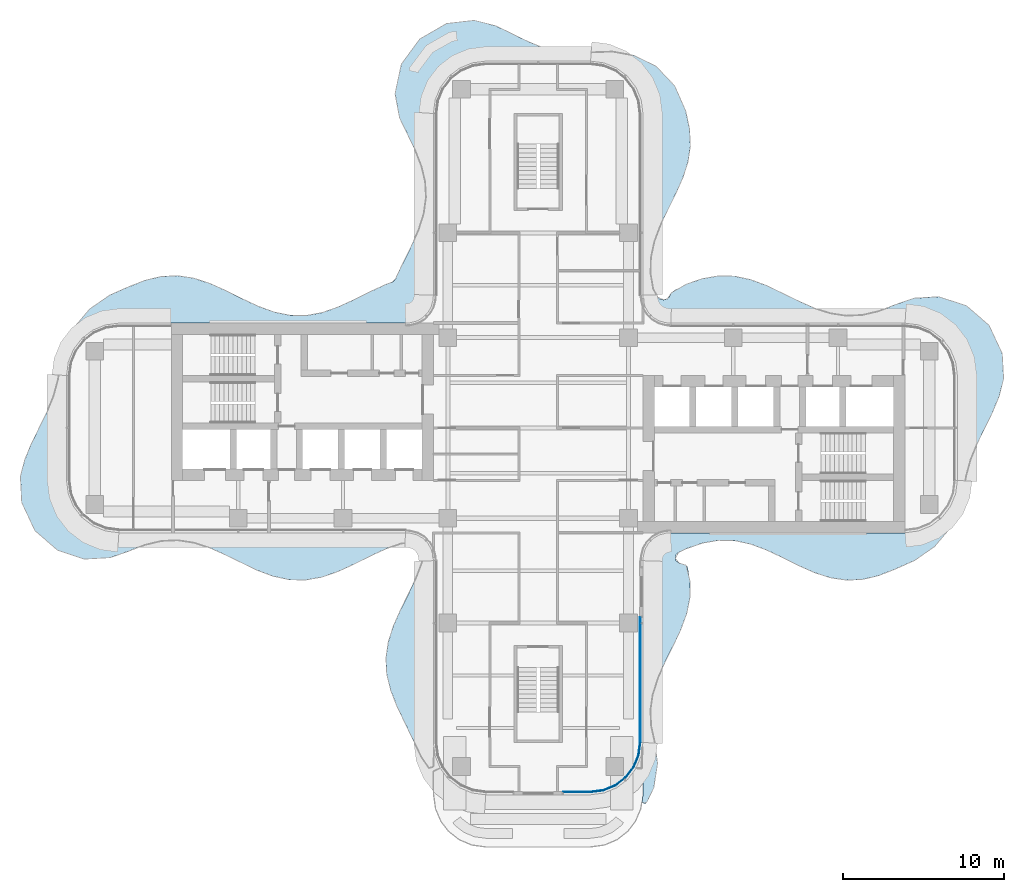
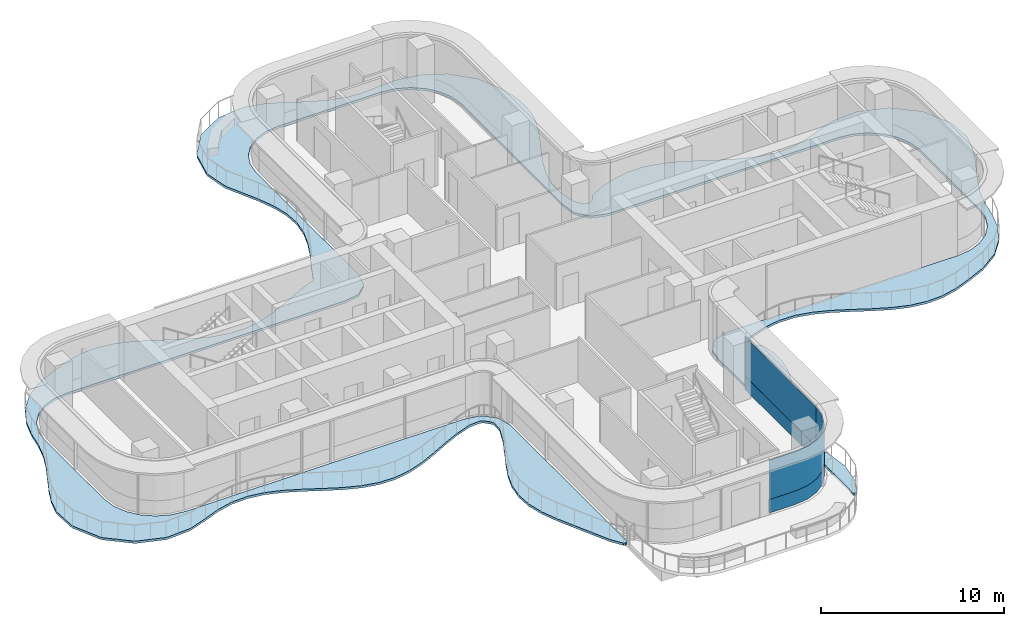
# One storey, part 9 of 17: 4 plates, 1 slab, 2 elements without a shape of their own.
"""IFC4 building model written with IfcOpenShell, lengths in metres."""

from ifc_helpers import new_model, si_unit, direction, frame, origin, place, context, subcontext, project, spatial, polyline, outline, extrude, source, transform, mapped, material, layer, layer_set, type_object, element, aggregate, save


model = new_model("IFC4")

# Units and contexts
model_context = context("Model", 3, precision=1e-05, world=origin(), true_north=direction((0.0, 1.0)))
body_context = subcontext(model_context, "Body", "Model", "MODEL_VIEW")
ifc_project = project(units=[si_unit("LENGTHUNIT", "METRE"), si_unit("AREAUNIT", "SQUARE_METRE"), si_unit("VOLUMEUNIT", "CUBIC_METRE"), si_unit("PLANEANGLEUNIT", "RADIAN"), si_unit("MASSUNIT", "GRAM", prefix="KILO")], contexts=[model_context])

# Site, building, storey
site_placement = place(None, origin())
site = spatial("IfcSite", under=ifc_project, at=site_placement, CompositionType="ELEMENT")
building_placement = place(site_placement, origin())
building = spatial("IfcBuilding", under=site, at=building_placement, Name="Trellis Farm Tower", CompositionType="ELEMENT")
storey_placement = place(building_placement, frame((0.0, 0.0, 244.10009765625)))
storey = spatial("IfcBuildingStorey", under=building, at=storey_placement, Name="L54", CompositionType="ELEMENT", Elevation=244.10009765625)

# Slab
ifc_material_1 = material(Name="Concrete C40/50", Category="concrete")
ifc_layer_1 = layer(ifc_material_1, 0.14990234375)
ifc_layer_set_1 = layer_set([ifc_layer_1], Name="Balcony slab 150")
slab_type = type_object("IfcSlabType", Name="Balcony slab 150", PredefinedType="FLOOR", material=ifc_layer_set_1)
slab_placement = place(storey_placement, frame((0.0, 0.0, -0.150146484375)))
element("IfcSlab", 1, at=slab_placement, inside=storey, type_object=slab_type, Name="Balcony slab", PredefinedType="FLOOR", context=body_context, shape_type="SweptSolid", body=[
    extrude(outline(polyline([(-22.3564453125, -6.961669921875), (-23.340087890625, -7.004150390625), (-23.354248046875, -7.006103515625), (-24.3935546875, -7.253173828125), (-24.40380859375, -7.256103515625), (-25.373291015625, -7.63623046875), (-25.378662109375, -7.63818359375), (-26.5341796875, -8.039794921875), (-26.574462890625, -8.047607421875), (-28.079345703125, -8.13818359375), (-28.10791015625, -8.13720703125), (-28.1435546875, -8.13232421875), (-28.170654296875, -8.126220703125), (-29.750732421875, -7.6083984375), (-29.77783203125, -7.59619140625), (-29.811279296875, -7.577392578125), (-29.83544921875, -7.560302734375), (-31.184814453125, -6.392578125), (-31.20654296875, -6.369384765625), (-31.231201171875, -6.336669921875), (-31.247314453125, -6.309326171875), (-32.016845703125, -4.644775390625), (-32.0263671875, -4.61767578125), (-32.03515625, -4.581787109375), (-32.039306640625, -4.552734375), (-32.1083984375, -3.0107421875), (-32.103759765625, -2.9658203125), (-31.8466796875, -1.99169921875), (-31.84033203125, -1.972900390625), (-31.44189453125, -1.006103515625), (-31.43798828125, -0.997314453125), (-30.468017578125, 0.984130859375), (-30.466064453125, 0.988525390625), (-30.06201171875, 1.967529296875), (-30.058837890625, 1.9765625), (-29.788330078125, 2.9755859375), (-29.786865234375, 2.982177734375), (-29.593505859375, 4.075439453125), (-29.590087890625, 4.09033203125), (-29.275390625, 5.194580078125), (-29.2646484375, 5.2216796875), (-28.7060546875, 6.315673828125), (-28.686767578125, 6.344482421875), (-27.80615234375, 7.381103515625), (-27.77685546875, 7.40771484375), (-26.59521484375, 8.21875), (-26.5712890625, 8.232421875), (-25.379150390625, 8.760986328125), (-25.373046875, 8.763427734375), (-24.39697265625, 9.146484375), (-24.37744140625, 9.152587890625), (-23.409423828125, 9.38671875), (-23.381591796875, 9.390869140625), (-22.38134765625, 9.4404296875), (-22.3515625, 9.43896484375), (-21.385498046875, 9.293701171875), (-21.361572265625, 9.2880859375), (-20.389404296875, 8.973388671875), (-20.37451171875, 8.967529296875), (-19.400390625, 8.533203125), (-19.394775390625, 8.5302734375), (-18.39501953125, 8.0322265625), (-18.3935546875, 8.031494140625), (-17.39013671875, 7.55908203125), (-17.384033203125, 7.556640625), (-16.384765625, 7.190185546875), (-16.3740234375, 7.187255859375), (-15.382080078125, 6.98486328125), (-15.367919921875, 6.9833984375), (-14.385498046875, 6.973388671875), (-14.371337890625, 6.974853515625), (-13.395263671875, 7.154296875), (-13.384033203125, 7.1572265625), (-12.406982421875, 7.49853515625), (-12.400390625, 7.501220703125), (-11.418701171875, 7.952880859375), (-11.41650390625, 7.9541015625), (-10.42578125, 8.44921875), (-10.42138671875, 8.451171875), (-9.442626953125, 8.901611328125), (-9.4306640625, 8.906494140625), (-9.066162109375, 9.03759765625), (-9.052001953125, 9.044189453125), (-8.94775390625, 9.10888671875), (-8.92529296875, 9.13037109375), (-8.85546875, 9.23388671875), (-8.849609375, 9.243896484375), (-8.3681640625, 10.269287109375), (-8.36669921875, 10.272705078125), (-7.873779296875, 11.260986328125), (-7.872314453125, 11.263916015625), (-7.421142578125, 12.27978515625), (-7.418212890625, 12.287353515625), (-7.1015625, 13.28466796875), (-7.0986328125, 13.296875), (-6.958984375, 14.28564453125), (-6.95849609375, 14.30029296875), (-7.013427734375, 15.27978515625), (-7.015380859375, 15.293212890625), (-7.238525390625, 16.222900390625), (-7.24169921875, 16.232421875), (-7.640869140625, 17.2568359375), (-7.643310546875, 17.26220703125), (-8.5908203125, 19.219482421875), (-8.603271484375, 19.25732421875), (-8.875732421875, 20.71728515625), (-8.87841796875, 20.747802734375), (-8.877685546875, 20.786376953125), (-8.8740234375, 20.81591796875), (-8.485107421875, 22.55810546875), (-8.474853515625, 22.588134765625), (-8.457763671875, 22.62548828125), (-8.44140625, 22.652587890625), (-7.343017578125, 24.1162109375), (-7.322021484375, 24.138916015625), (-7.292236328125, 24.1650390625), (-7.26708984375, 24.182861328125), (-5.708984375, 25.065185546875), (-5.68115234375, 25.077392578125), (-5.643798828125, 25.08935546875), (-5.614013671875, 25.095703125), (-3.998779296875, 25.2734375), (-3.9716796875, 25.27392578125), (-3.936767578125, 25.271484375), (-3.91015625, 25.26708984375), (-2.65380859375, 24.9462890625), (-2.625, 24.935791015625), (-0.640869140625, 23.968017578125), (-0.63671875, 23.966064453125), (0.342529296875, 23.56201171875), (0.351806640625, 23.558837890625), (1.38916015625, 23.28271484375), (1.402587890625, 23.280517578125), (2.38525390625, 23.2041015625), (2.398193359375, 23.2041015625), (3.4072265625, 23.2998046875), (3.416015625, 23.30029296875), (4.605224609375, 23.342529296875), (4.637939453125, 23.340087890625), (5.936767578125, 23.1005859375), (5.97509765625, 23.088134765625), (7.259521484375, 22.464599609375), (7.282958984375, 22.450439453125), (7.310546875, 22.43017578125), (7.33056640625, 22.41259765625), (8.446044921875, 21.238037109375), (8.462158203125, 21.2177734375), (8.480712890625, 21.189697265625), (8.493408203125, 21.166748046875), (9.146240234375, 19.671875), (9.155517578125, 19.642578125), (9.388671875, 18.52978515625), (9.3916015625, 18.50634765625), (9.4404296875, 17.506103515625), (9.43896484375, 17.4765625), (9.293701171875, 16.51025390625), (9.2880859375, 16.486572265625), (8.97998046875, 15.531982421875), (8.974365234375, 15.51708984375), (8.533203125, 14.525390625), (8.5302734375, 14.51953125), (8.0322265625, 13.52001953125), (8.031494140625, 13.5185546875), (7.55908203125, 12.514892578125), (7.556640625, 12.509033203125), (7.20458984375, 11.55908203125), (7.201416015625, 11.548828125), (6.992431640625, 10.572998046875), (6.99072265625, 10.55908203125), (6.96826171875, 9.578369140625), (6.96923828125, 9.56396484375), (7.1328125, 8.6171875), (7.13671875, 8.602294921875), (7.181640625, 8.488525390625), (7.1884765625, 8.475341796875), (7.4228515625, 8.1123046875), (7.4365234375, 8.096435546875), (7.5595703125, 7.989501953125), (7.5966796875, 7.972412109375), (7.7578125, 7.94775390625), (7.77880859375, 7.947509765625), (7.87158203125, 7.959716796875), (7.88916015625, 7.96435546875), (8.0205078125, 8.015869140625), (8.049560546875, 8.03662109375), (8.1416015625, 8.143798828125), (8.151611328125, 8.15869140625), (8.262451171875, 8.37890625), (8.28955078125, 8.416748046875), (8.32958984375, 8.45751953125), (8.366943359375, 8.485107421875), (9.17138671875, 8.906494140625), (9.192138671875, 8.915283203125), (10.167724609375, 9.252197265625), (10.190673828125, 9.258056640625), (11.16455078125, 9.4296875), (11.193603515625, 9.431884765625), (12.160400390625, 9.412841796875), (12.188720703125, 9.40966796875), (13.15625, 9.2041015625), (13.17724609375, 9.197998046875), (14.152099609375, 8.8359375), (14.163818359375, 8.8310546875), (15.14453125, 8.3681640625), (15.1474609375, 8.36669921875), (16.1494140625, 7.867431640625), (16.152587890625, 7.865966796875), (17.15478515625, 7.421142578125), (17.162109375, 7.418212890625), (18.103759765625, 7.114501953125), (18.115234375, 7.11181640625), (19.091796875, 6.96240234375), (19.1064453125, 6.961669921875), (20.09033203125, 7.004150390625), (20.10400390625, 7.006103515625), (21.09765625, 7.238525390625), (21.107666015625, 7.24169921875), (22.123291015625, 7.636474609375), (22.12841796875, 7.63818359375), (23.2841796875, 8.039794921875), (23.324462890625, 8.047607421875), (24.829345703125, 8.13818359375), (24.85791015625, 8.13720703125), (24.8935546875, 8.13232421875), (24.920654296875, 8.126220703125), (26.500732421875, 7.6083984375), (26.52783203125, 7.59619140625), (26.561279296875, 7.577392578125), (26.58544921875, 7.560302734375), (27.934814453125, 6.392578125), (27.95654296875, 6.369384765625), (27.981201171875, 6.336669921875), (27.997314453125, 6.309326171875), (28.766845703125, 4.644775390625), (28.7763671875, 4.61767578125), (28.78515625, 4.58154296875), (28.789306640625, 4.552978515625), (28.864013671875, 3.063232421875), (28.859619140625, 3.018798828125), (28.60400390625, 2.014404296875), (28.597412109375, 1.994384765625), (28.1875, 0.995849609375), (28.183349609375, 0.98681640625), (27.218017578125, -0.984130859375), (27.216064453125, -0.988525390625), (26.81201171875, -1.967529296875), (26.808837890625, -1.9765625), (26.538330078125, -2.9755859375), (26.536865234375, -2.982177734375), (26.343505859375, -4.075439453125), (26.340087890625, -4.09033203125), (26.025390625, -5.194580078125), (26.0146484375, -5.2216796875), (25.455810546875, -6.31591796875), (25.43701171875, -6.344482421875), (24.59033203125, -7.35009765625), (24.561279296875, -7.376708984375), (23.373779296875, -8.20263671875), (23.34912109375, -8.216552734375), (22.12939453125, -8.7607421875), (22.122802734375, -8.763427734375), (21.1240234375, -9.15380859375), (21.1044921875, -9.159912109375), (20.158935546875, -9.386962890625), (20.1318359375, -9.390869140625), (19.165283203125, -9.442138671875), (19.135986328125, -9.440673828125), (18.16357421875, -9.300048828125), (18.139404296875, -9.29443359375), (17.1572265625, -8.97998046875), (17.14208984375, -8.974365234375), (16.150390625, -8.533203125), (16.14453125, -8.5302734375), (15.14501953125, -8.0322265625), (15.1435546875, -8.031494140625), (14.139892578125, -7.55908203125), (14.134033203125, -7.556640625), (13.18408203125, -7.20458984375), (13.173828125, -7.201416015625), (12.197998046875, -6.992431640625), (12.18408203125, -6.99072265625), (11.203369140625, -6.96826171875), (11.18896484375, -6.96923828125), (10.198486328125, -7.140380859375), (10.186767578125, -7.1435546875), (9.152587890625, -7.501708984375), (9.143310546875, -7.505615234375), (8.701904296875, -7.730224609375), (8.684326171875, -7.742431640625), (8.563720703125, -7.856689453125), (8.54296875, -7.892578125), (8.50634765625, -8.04345703125), (8.50830078125, -8.085205078125), (8.559814453125, -8.2314453125), (8.584228515625, -8.26513671875), (8.7138671875, -8.365234375), (8.73681640625, -8.377197265625), (9.16748046875, -8.514404296875), (9.269775390625, -8.63134765625), (9.4296875, -9.539794921875), (9.43212890625, -9.568359375), (9.41650390625, -10.502685546875), (9.413330078125, -10.530517578125), (9.211181640625, -11.506103515625), (9.205078125, -11.527587890625), (8.841796875, -12.512939453125), (8.8369140625, -12.525146484375), (8.3681640625, -13.51953125), (8.36669921875, -13.5224609375), (7.873779296875, -14.510986328125), (7.87255859375, -14.513916015625), (7.434814453125, -15.49462890625), (7.431640625, -15.502197265625), (7.101318359375, -16.534912109375), (7.0986328125, -16.546630859375), (6.96240234375, -17.467041015625), (6.961669921875, -17.481201171875), (7.00439453125, -18.468017578125), (7.006103515625, -18.480712890625), (7.2431640625, -19.552001953125), (7.24560546875, -19.5654296875), (7.40234375, -20.79833984375), (7.401611328125, -20.84033203125), (7.1748046875, -22.29541015625), (7.16162109375, -22.337890625), (6.73291015625, -23.22119140625), (6.658203125, -23.293212890625), (6.5546875, -23.29931640625), (6.471923828125, -23.2373046875), (6.44921875, -23.13623046875), (6.49951171875, -22.7548828125), (6.5, -22.7451171875), (6.5, -19.504638671875), (6.50048828125, -19.5), (6.50048828125, -14.017822265625), (6.50146484375, -8.5390625), (6.50244140625, -8.5205078125), (6.61474609375, -7.626708984375), (6.62548828125, -7.5869140625), (6.6455078125, -7.539306640625), (6.66650390625, -7.50390625), (7.1875, -6.853515625), (7.22021484375, -6.8232421875), (7.265380859375, -6.79248046875), (7.306640625, -6.772705078125), (8.177734375, -6.510009765625), (8.220947265625, -6.503662109375), (19.881591796875, -6.50048828125), (22.75, -6.50048828125), (23.59130859375, -6.389892578125), (24.375244140625, -6.065185546875), (25.048583984375, -5.548583984375), (25.565185546875, -4.875244140625), (25.889892578125, -4.09130859375), (26.00048828125, -3.25), (26.00048828125, 3.25), (25.889892578125, 4.09130859375), (25.565185546875, 4.875244140625), (25.048583984375, 5.548583984375), (24.375244140625, 6.065185546875), (23.59130859375, 6.389892578125), (22.75, 6.50048828125), (19.881591796875, 6.50048828125), (8.220947265625, 6.503662109375), (8.177734375, 6.510009765625), (7.306640625, 6.772705078125), (7.265380859375, 6.79248046875), (7.22021484375, 6.8232421875), (7.1875, 6.853515625), (6.66650390625, 7.50390625), (6.6455078125, 7.539306640625), (6.62548828125, 7.5869140625), (6.61474609375, 7.626953125), (6.501220703125, 8.542236328125), (6.50048828125, 8.551025390625), (6.50048828125, 19.5), (6.389892578125, 20.34130859375), (6.065185546875, 21.125244140625), (5.548583984375, 21.798583984375), (4.875244140625, 22.315185546875), (4.09130859375, 22.639892578125), (3.25, 22.75048828125), (-3.25, 22.75048828125), (-4.09130859375, 22.639892578125), (-4.875244140625, 22.315185546875), (-5.548583984375, 21.798583984375), (-6.065185546875, 21.125244140625), (-6.389892578125, 20.34130859375), (-6.50048828125, 19.5), (-6.50048828125, 8.31494140625), (-6.50439453125, 8.28369140625), (-6.723388671875, 7.398193359375), (-6.740234375, 7.357421875), (-6.767578125, 7.311279296875), (-6.794921875, 7.27783203125), (-7.40673828125, 6.7138671875), (-7.4423828125, 6.689453125), (-7.49072265625, 6.665771484375), (-7.53173828125, 6.65234375), (-8.406494140625, 6.50439453125), (-8.431396484375, 6.50244140625), (-21.205810546875, 6.50048828125), (-26.0, 6.50048828125), (-26.84130859375, 6.389892578125), (-27.625244140625, 6.065185546875), (-28.298583984375, 5.548583984375), (-28.815185546875, 4.875244140625), (-29.139892578125, 4.09130859375), (-29.25048828125, 3.25), (-29.25048828125, -3.25), (-29.139892578125, -4.09130859375), (-28.815185546875, -4.875244140625), (-28.298583984375, -5.548583984375), (-27.625244140625, -6.065185546875), (-26.84130859375, -6.389892578125), (-26.0, -6.50048828125), (-8.453125, -6.50048828125), (-8.435791015625, -6.501953125), (-7.531982421875, -6.652587890625), (-7.490478515625, -6.665771484375), (-7.4423828125, -6.689453125), (-7.40673828125, -6.7138671875), (-6.794921875, -7.27783203125), (-6.767578125, -7.311279296875), (-6.740234375, -7.357421875), (-6.723388671875, -7.398193359375), (-6.50439453125, -8.28369140625), (-6.50048828125, -8.31494140625), (-6.50048828125, -19.5), (-6.5, -19.504638671875), (-6.5, -21.0068359375), (-6.55029296875, -21.118896484375), (-6.667724609375, -21.15576171875), (-6.773193359375, -21.09228515625), (-7.23046875, -20.434814453125), (-7.24267578125, -20.4140625), (-8.758544921875, -17.258544921875), (-8.762939453125, -17.24853515625), (-9.146484375, -16.272216796875), (-9.152587890625, -16.25244140625), (-9.38671875, -15.2841796875), (-9.390869140625, -15.2568359375), (-9.442138671875, -14.290283203125), (-9.440673828125, -14.260986328125), (-9.300048828125, -13.28857421875), (-9.29443359375, -13.264404296875), (-8.97998046875, -12.2822265625), (-8.974365234375, -12.26708984375), (-8.533203125, -11.275390625), (-8.5302734375, -11.26953125), (-8.035400390625, -10.27685546875), (-8.03466796875, -10.275390625), (-7.570068359375, -9.291259765625), (-7.56787109375, -9.285888671875), (-7.21533203125, -8.35986328125), (-7.2119140625, -8.348388671875), (-7.19189453125, -8.251708984375), (-7.190673828125, -8.23974609375), (-7.16796875, -7.7333984375), (-7.1689453125, -7.7177734375), (-7.189208984375, -7.5966796875), (-7.20068359375, -7.568115234375), (-7.2685546875, -7.466064453125), (-7.278564453125, -7.453857421875), (-7.53173828125, -7.206787109375), (-7.544189453125, -7.197021484375), (-7.647705078125, -7.1318359375), (-7.6767578125, -7.12109375), (-7.798095703125, -7.103759765625), (-7.813720703125, -7.103271484375), (-8.38818359375, -7.142822265625), (-8.398193359375, -7.14404296875), (-8.479736328125, -7.160888671875), (-8.489501953125, -7.16357421875), (-9.441650390625, -7.498291015625), (-9.447998046875, -7.5009765625), (-10.43017578125, -7.952880859375), (-10.432373046875, -7.9541015625), (-11.423095703125, -8.44921875), (-11.427490234375, -8.451171875), (-12.42041015625, -8.906982421875), (-12.43408203125, -8.91259765625), (-13.417724609375, -9.252197265625), (-13.440673828125, -9.258056640625), (-14.41455078125, -9.4296875), (-14.443603515625, -9.431884765625), (-15.410400390625, -9.412841796875), (-15.438720703125, -9.40966796875), (-16.40625, -9.2041015625), (-16.42724609375, -9.197998046875), (-17.402099609375, -8.8359375), (-17.413818359375, -8.8310546875), (-18.39794921875, -8.366455078125), (-18.40087890625, -8.364990234375), (-19.385986328125, -7.873779296875), (-19.388916015625, -7.87255859375), (-20.36962890625, -7.4345703125), (-20.377197265625, -7.431884765625), (-21.353515625, -7.114501953125), (-21.365478515625, -7.11181640625), (-22.341796875, -6.96240234375), (-22.3564453125, -6.961669921875)])), origin(), (0.0, 0.0, 1.0), 0.150146484375),
])

# Curtain wall, plates
ifc_material_2 = material(Name="Aluminium and glass curtain wall", Category="aluminium")
ifc_layer_2 = layer(ifc_material_2, 0.18994140625)
ifc_layer_set_2 = layer_set([ifc_layer_2], Name="RIBBON CURTAIN WALL CW1")
curtain_wall_type = type_object("IfcCurtainWallType", Name="RIBBON CURTAIN WALL CW1", PredefinedType="NOTDEFINED", material=ifc_layer_set_2)
placement_1 = place(storey_placement, origin())
curtain_wall_1 = element("IfcCurtainWall", 2, at=placement_1, inside=storey, type_object=curtain_wall_type, Name="CW1 004", PredefinedType="NOTDEFINED")
ifc_material_3 = material(Name="Clear insulated glass", Category="glass")
ifc_layer_3 = layer(ifc_material_3, 0.0400390625)
ifc_layer_set_3 = layer_set([ifc_layer_3], Name="CW1 GLASS PANEL 40")
plate_type_1 = type_object("IfcPlateType", Name="CW1 GLASS PANEL 40", PredefinedType="CURTAIN_PANEL", material=ifc_layer_set_3)
placement_2 = place(storey_placement, frame((0.0, 0.0, 0.89990234375)))
plate_1 = element("IfcPlate", 3, at=placement_2, type_object=plate_type_1, Name="PL1 004", PredefinedType="CURTAIN_PANEL", context=body_context, shape_type="SweptSolid", body=[
    extrude(outline(polyline([(1.56005859375, -22.60009765625), (3.240234375, -22.60009765625), (4.052001953125, -22.4931640625), (4.79931640625, -22.18359375), (5.441162109375, -21.691162109375), (5.93359375, -21.04931640625), (6.2431640625, -20.302001953125), (6.35009765625, -19.490234375), (6.31005859375, -19.487548828125), (6.2041015625, -20.29150390625), (5.898681640625, -21.029296875), (5.41259765625, -21.66259765625), (4.779296875, -22.148681640625), (4.04150390625, -22.4541015625), (3.237548828125, -22.56005859375), (1.56005859375, -22.56005859375), (1.56005859375, -22.60009765625)])), origin(), (0.0, 0.0, 1.0), 2.6201171875),
])
ifc_material_4 = material(Name="Sandstone faced insulated panel", Category="masonry")
ifc_layer_4 = layer(ifc_material_4, 0.050048828125)
ifc_layer_set_4 = layer_set([ifc_layer_4], Name="CW1 STONE SPANDREL PANEL 50")
plate_type_2 = type_object("IfcPlateType", Name="CW1 STONE SPANDREL PANEL 50", PredefinedType="CURTAIN_PANEL", material=ifc_layer_set_4)
plate_2 = element("IfcPlate", 4, at=placement_1, type_object=plate_type_2, Name="PS1 004", PredefinedType="CURTAIN_PANEL", context=body_context, shape_type="SweptSolid", body=[
    extrude(outline(polyline([(1.56005859375, -22.60009765625), (3.240234375, -22.60009765625), (4.052001953125, -22.4931640625), (4.79931640625, -22.18359375), (5.441162109375, -21.691162109375), (5.93359375, -21.04931640625), (6.2431640625, -20.302001953125), (6.35009765625, -19.490234375), (6.300048828125, -19.48681640625), (6.1943359375, -20.2890625), (5.889892578125, -21.024169921875), (5.405517578125, -21.655517578125), (4.774169921875, -22.139892578125), (4.0390625, -22.4443359375), (3.23681640625, -22.550048828125), (1.56005859375, -22.550048828125), (1.56005859375, -22.60009765625)])), origin(), (0.0, 0.0, 1.0), 0.89990234375),
])
aggregate(curtain_wall_1, [plate_1, plate_2])

curtain_wall_2 = element("IfcCurtainWall", 5, at=placement_1, inside=storey, type_object=curtain_wall_type, Name="CW1 005", PredefinedType="NOTDEFINED")
shared_shape_1 = source(origin(), body_context, "Body", "SweptSolid", [
    extrude(outline(polyline([(6.35009765625, -19.490234375), (6.35009765625, -11.7255859375), (6.31005859375, -11.7255859375), (6.31005859375, -19.487548828125), (6.35009765625, -19.490234375)])), origin(), (0.0, 0.0, 1.0), 2.6201171875),
])
plate_3 = element("IfcPlate", 6, at=placement_2, type_object=plate_type_1, Name="PL1 005", PredefinedType="CURTAIN_PANEL", context=body_context, shape_type="MappedRepresentation", body=[
    mapped(shared_shape_1, transform((0.0, 0.0, 0.0))),
])
shared_shape_2 = source(origin(), body_context, "Body", "SweptSolid", [
    extrude(outline(polyline([(6.35009765625, -19.490234375), (6.35009765625, -11.7255859375), (6.300048828125, -11.7255859375), (6.300048828125, -19.48681640625), (6.35009765625, -19.490234375)])), origin(), (0.0, 0.0, 1.0), 0.89990234375),
])
plate_4 = element("IfcPlate", 7, at=placement_1, type_object=plate_type_2, Name="PS1 005", PredefinedType="CURTAIN_PANEL", context=body_context, shape_type="MappedRepresentation", body=[
    mapped(shared_shape_2, transform((0.0, 0.0, 0.0))),
])
aggregate(curtain_wall_2, [plate_3, plate_4])

save(model, "model.ifc")
